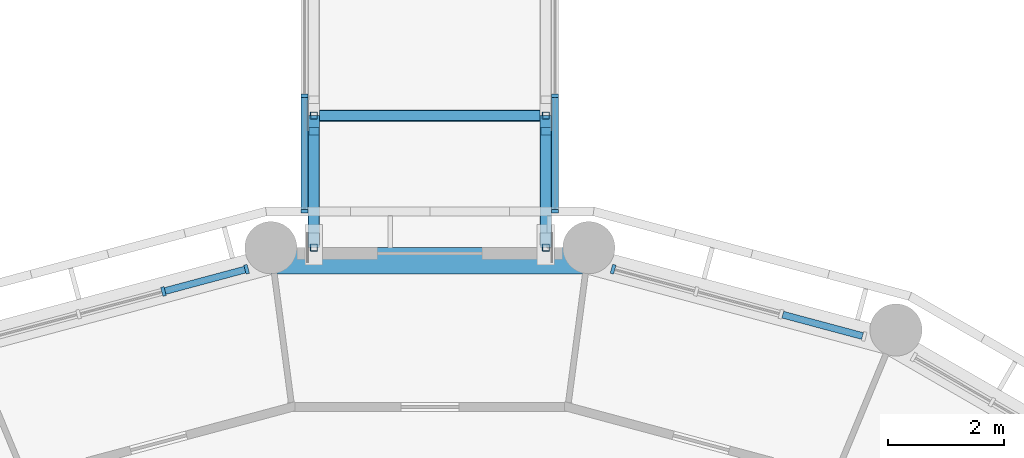
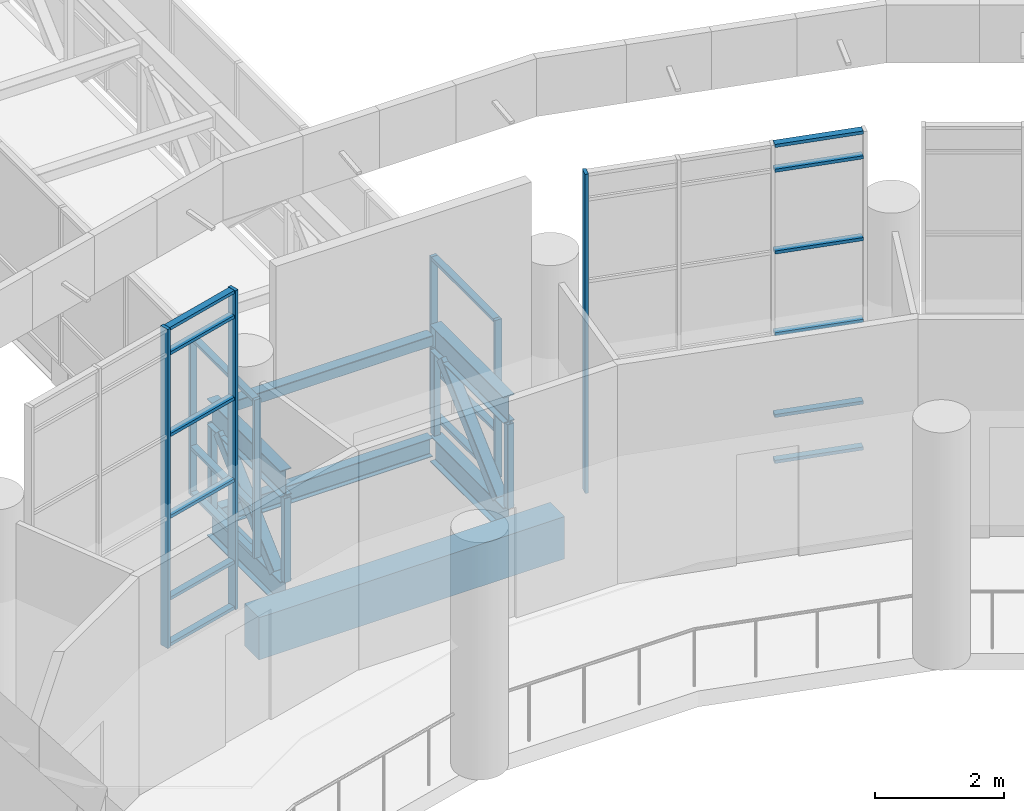
# One storey, part 23 of 136: 37 members, 1 beam, 4 elements without a shape of their own.
"""IFC4 building model written with IfcOpenShell, lengths in metres."""

from ifc_helpers import new_model, si_unit, direction, frame, origin, origin_2d, place, context, subcontext, project, spatial, rectangle, hollow_rectangle, i_section, extrude, material, material_profile, profile_set, type_object, element, aggregate, save


model = new_model("IFC4")

# Units and contexts
model_context = context("Model", 3, precision=1e-05, world=origin(), true_north=direction((0.0, 1.0)))
body_context = subcontext(model_context, "Body", "Model", "MODEL_VIEW")
ifc_project = project(units=[si_unit("LENGTHUNIT", "METRE"), si_unit("AREAUNIT", "SQUARE_METRE"), si_unit("VOLUMEUNIT", "CUBIC_METRE"), si_unit("PLANEANGLEUNIT", "RADIAN"), si_unit("MASSUNIT", "GRAM", prefix="KILO")], contexts=[model_context])

# Site, building, storey
site_placement = place(None, origin())
site = spatial("IfcSite", under=ifc_project, at=site_placement, CompositionType="ELEMENT")
building_placement = place(site_placement, origin())
building = spatial("IfcBuilding", under=site, at=building_placement, Name="Bougainvillea Quay General Hospital", CompositionType="ELEMENT")
storey_placement = place(building_placement, frame((0.0, 0.0, 5.39990234375)))
storey = spatial("IfcBuildingStorey", under=building, at=storey_placement, Name="L01", CompositionType="ELEMENT", Elevation=5.39990234375)

# Curtain wall, members
ifc_material_1 = material(Name="Aluminium curtain wall system, powder-coated glazed", Category="aluminium")
curtain_wall_type_1 = type_object("IfcCurtainWallType", Name="Unitised curtain wall CW-2100", PredefinedType="NOTDEFINED", material=ifc_material_1)
curtain_wall_1_placement = place(storey_placement, origin())
curtain_wall_1 = element("IfcCurtainWall", 1, at=curtain_wall_1_placement, inside=storey, type_object=curtain_wall_type_1, Name="BG-L L", PredefinedType="NOTDEFINED")
ifc_material_2 = material(Name="Aluminium mullion, powder-coated charcoal", Category="aluminium")
ifc_material_profile_1 = material_profile(ifc_material_2, rectangle(XDim=0.1201171875, YDim=0.06005859375, at=origin_2d()))
ifc_profile_set_1 = profile_set([ifc_material_profile_1], Name="Aluminium mullion, powder-coated charcoal")
member_type_1 = type_object("IfcMemberType", Name="Curtain wall mullion 120x60", PredefinedType="MULLION", material=ifc_profile_set_1)
member_1_placement = place(storey_placement, frame((107.0400390625, 95.449951171875, 0.0), z_axis=(0.0, 0.0, 1.0), x_axis=(-1.0, 0.0, 0.0)))
member_1 = element("IfcMember", 2, at=member_1_placement, type_object=member_type_1, Name="BG-L mullion 1", PredefinedType="MULLION", context=body_context, shape_type="SweptSolid", body=[
    extrude(rectangle(XDim=0.1201171875, YDim=0.06005859375, at=origin_2d()), origin(), (0.0, 0.0, 1.0), 3.0),
])
member_2_placement = place(storey_placement, frame((107.0400390625, 97.436279296875, 0.0), z_axis=(0.0, 0.0, 1.0), x_axis=(-1.0, 0.0, 0.0)))
member_2 = element("IfcMember", 3, at=member_2_placement, type_object=member_type_1, Name="BG-L mullion 2", PredefinedType="MULLION", context=body_context, shape_type="SweptSolid", body=[
    extrude(rectangle(XDim=0.1201171875, YDim=0.06005859375, at=origin_2d()), origin(), (0.0, 0.0, 1.0), 3.0),
])

curtain_wall_2_placement = place(storey_placement, origin())
curtain_wall_2 = element("IfcCurtainWall", 4, at=curtain_wall_2_placement, inside=storey, type_object=curtain_wall_type_1, Name="BG-R R", PredefinedType="NOTDEFINED")
member_3_placement = place(storey_placement, frame((111.360107421875, 97.436279296875, 0.0), z_axis=(0.0, 0.0, 1.0), x_axis=(1.0, 0.0, 0.0)))
member_3 = element("IfcMember", 5, at=member_3_placement, type_object=member_type_1, Name="BG-R mullion 11", PredefinedType="MULLION", context=body_context, shape_type="SweptSolid", body=[
    extrude(rectangle(XDim=0.1201171875, YDim=0.06005859375, at=origin_2d()), origin(), (0.0, 0.0, 1.0), 3.0),
])
member_4_placement = place(storey_placement, frame((111.360107421875, 95.449951171875, 0.0), z_axis=(0.0, 0.0, 1.0), x_axis=(1.0, 0.0, 0.0)))
member_4 = element("IfcMember", 6, at=member_4_placement, type_object=member_type_1, Name="BG-R mullion 12", PredefinedType="MULLION", context=body_context, shape_type="SweptSolid", body=[
    extrude(rectangle(XDim=0.1201171875, YDim=0.06005859375, at=origin_2d()), origin(), (0.0, 0.0, 1.0), 3.0),
])

# Curtain wall, member
curtain_wall_type_2 = type_object("IfcCurtainWallType", Name="Unitised curtain wall CW-1514", PredefinedType="NOTDEFINED", material=ifc_material_1)
curtain_wall_3_placement = place(storey_placement, origin())
curtain_wall_3 = element("IfcCurtainWall", 7, at=curtain_wall_3_placement, inside=storey, type_object=curtain_wall_type_2, Name="CW-D 00", PredefinedType="NOTDEFINED")
ifc_material_profile_2 = material_profile(ifc_material_2, rectangle(XDim=0.159912109375, YDim=0.06005859375, at=origin_2d()))
ifc_profile_set_2 = profile_set([ifc_material_profile_2], Name="Aluminium mullion, powder-coated charcoal")
member_type_2 = type_object("IfcMemberType", Name="Curtain wall mullion 160x60", PredefinedType="MULLION", material=ifc_profile_set_2)
member_5_placement = place(storey_placement, frame((112.359130859375, 94.448974609375, 0.0), z_axis=(0.0, 0.0, 1.0), x_axis=(-0.258854621298, -0.965916292974, 0.0)))
member_5 = element("IfcMember", 8, at=member_5_placement, type_object=member_type_2, Name="CW-D mullion 4", PredefinedType="MULLION", context=body_context, shape_type="SweptSolid", body=[
    extrude(rectangle(XDim=0.159912109375, YDim=0.06005859375, at=origin_2d()), origin(), (0.0, 0.0, 1.0), 6.050048828125),
])

# Curtain wall, members
curtain_wall_4_placement = place(storey_placement, origin())
curtain_wall_4 = element("IfcCurtainWall", 9, at=curtain_wall_4_placement, inside=storey, type_object=curtain_wall_type_2, Name="CW-D 00", PredefinedType="NOTDEFINED")
member_6_placement = place(storey_placement, frame((106.040771484375, 94.448974609375, 0.0), z_axis=(0.0, 0.0, 1.0), x_axis=(0.258854621298, -0.965916292974, 0.0)))
member_6 = element("IfcMember", 10, at=member_6_placement, type_object=member_type_2, Name="CW-D mullion 1", PredefinedType="MULLION", context=body_context, shape_type="SweptSolid", body=[
    extrude(rectangle(XDim=0.159912109375, YDim=0.06005859375, at=origin_2d()), origin(), (0.0, 0.0, 1.0), 6.050048828125),
])
member_7_placement = place(storey_placement, frame((104.607421875, 94.06494140625, 0.0), z_axis=(0.0, 0.0, 1.0), x_axis=(0.258854621298, -0.965916292974, 0.0)))
member_7 = element("IfcMember", 11, at=member_7_placement, type_object=member_type_2, Name="CW-D mullion 2", PredefinedType="MULLION", context=body_context, shape_type="SweptSolid", body=[
    extrude(rectangle(XDim=0.159912109375, YDim=0.06005859375, at=origin_2d()), origin(), (0.0, 0.0, 1.0), 6.050048828125),
])

# Member
ifc_material_3 = material(Name="Aluminium transom, powder-coated charcoal", Category="aluminium")
ifc_material_profile_3 = material_profile(ifc_material_3, rectangle(XDim=0.1201171875, YDim=0.06005859375, at=origin_2d()))
ifc_profile_set_3 = profile_set([ifc_material_profile_3], Name="Aluminium transom, powder-coated charcoal")
member_type_3 = type_object("IfcMemberType", Name="Curtain wall transom 120x60", PredefinedType="USERDEFINED", material=ifc_profile_set_3)
member_8_placement = place(storey_placement, frame((116.659423828125, 93.296630859375, 0.030029296875), z_axis=(-0.965909783806, 0.258878909043, 0.0), x_axis=(-0.258878909043, -0.965909783806, 0.0)))
member_8 = element("IfcMember", 12, at=member_8_placement, type_object=member_type_3, Name="CW-D transom 1.1", ObjectType="TRANSOM", PredefinedType="USERDEFINED", context=body_context, shape_type="SweptSolid", body=[
    extrude(rectangle(XDim=0.1201171875, YDim=0.06005859375, at=origin_2d()), origin(), (0.0, 0.0, 1.0), 1.424072265625),
])

member_9_placement = place(storey_placement, frame((116.659423828125, 93.296630859375, 0.900146484375), z_axis=(-0.965909783806, 0.258878909043, 0.0), x_axis=(-0.258878909043, -0.965909783806, 0.0)))
member_9 = element("IfcMember", 13, at=member_9_placement, type_object=member_type_3, Name="CW-D transom 1.2", ObjectType="TRANSOM", PredefinedType="USERDEFINED", context=body_context, shape_type="SweptSolid", body=[
    extrude(rectangle(XDim=0.1201171875, YDim=0.06005859375, at=origin_2d()), origin(), (0.0, 0.0, 1.0), 1.424072265625),
])

member_10_placement = place(storey_placement, frame((116.659423828125, 93.296630859375, 2.4501953125), z_axis=(-0.965909783806, 0.258878909043, 0.0), x_axis=(-0.258878909043, -0.965909783806, 0.0)))
member_10 = element("IfcMember", 14, at=member_10_placement, type_object=member_type_3, Name="CW-D transom 1.3", ObjectType="TRANSOM", PredefinedType="USERDEFINED", context=body_context, shape_type="SweptSolid", body=[
    extrude(rectangle(XDim=0.1201171875, YDim=0.06005859375, at=origin_2d()), origin(), (0.0, 0.0, 1.0), 1.424072265625),
])

member_11_placement = place(storey_placement, frame((116.659423828125, 93.296630859375, 4.0), z_axis=(-0.965909783806, 0.258878909043, 0.0), x_axis=(-0.258878909043, -0.965909783806, 0.0)))
member_11 = element("IfcMember", 15, at=member_11_placement, type_object=member_type_3, Name="CW-D transom 1.4", ObjectType="TRANSOM", PredefinedType="USERDEFINED", context=body_context, shape_type="SweptSolid", body=[
    extrude(rectangle(XDim=0.1201171875, YDim=0.06005859375, at=origin_2d()), origin(), (0.0, 0.0, 1.0), 1.424072265625),
])

member_12_placement = place(storey_placement, frame((116.659423828125, 93.296630859375, 5.550048828125), z_axis=(-0.965909783806, 0.258878909043, 0.0), x_axis=(-0.258878909043, -0.965909783806, 0.0)))
member_12 = element("IfcMember", 16, at=member_12_placement, type_object=member_type_3, Name="CW-D transom 1.5", ObjectType="TRANSOM", PredefinedType="USERDEFINED", context=body_context, shape_type="SweptSolid", body=[
    extrude(rectangle(XDim=0.1201171875, YDim=0.06005859375, at=origin_2d()), origin(), (0.0, 0.0, 1.0), 1.424072265625),
])

member_13_placement = place(storey_placement, frame((116.659423828125, 93.296630859375, 6.02001953125), z_axis=(-0.965909783806, 0.258878909043, 0.0), x_axis=(-0.258878909043, -0.965909783806, 0.0)))
member_13 = element("IfcMember", 17, at=member_13_placement, type_object=member_type_3, Name="CW-D transom 1.6", ObjectType="TRANSOM", PredefinedType="USERDEFINED", context=body_context, shape_type="SweptSolid", body=[
    extrude(rectangle(XDim=0.1201171875, YDim=0.06005859375, at=origin_2d()), origin(), (0.0, 0.0, 1.0), 1.424072265625),
])

aggregate(curtain_wall_3, [member_5, member_8, member_9, member_10, member_11, member_12, member_13])

member_14_placement = place(storey_placement, frame((106.01171875, 94.44140625, 0.030029296875), z_axis=(-0.965898291136, -0.258921785836, 0.0), x_axis=(0.258921785836, -0.965898291136, 0.0)))
member_14 = element("IfcMember", 18, at=member_14_placement, type_object=member_type_3, Name="CW-D transom 1.1", ObjectType="TRANSOM", PredefinedType="USERDEFINED", context=body_context, shape_type="SweptSolid", body=[
    extrude(rectangle(XDim=0.1201171875, YDim=0.06005859375, at=origin_2d()), origin(), (0.0, 0.0, 1.0), 1.423828125),
])

member_15_placement = place(storey_placement, frame((106.01171875, 94.44140625, 0.900146484375), z_axis=(-0.965898291136, -0.258921785836, 0.0), x_axis=(0.258921785836, -0.965898291136, 0.0)))
member_15 = element("IfcMember", 19, at=member_15_placement, type_object=member_type_3, Name="CW-D transom 1.2", ObjectType="TRANSOM", PredefinedType="USERDEFINED", context=body_context, shape_type="SweptSolid", body=[
    extrude(rectangle(XDim=0.1201171875, YDim=0.06005859375, at=origin_2d()), origin(), (0.0, 0.0, 1.0), 1.423828125),
])

member_16_placement = place(storey_placement, frame((106.01171875, 94.44140625, 2.4501953125), z_axis=(-0.965898291136, -0.258921785836, 0.0), x_axis=(0.258921785836, -0.965898291136, 0.0)))
member_16 = element("IfcMember", 20, at=member_16_placement, type_object=member_type_3, Name="CW-D transom 1.3", ObjectType="TRANSOM", PredefinedType="USERDEFINED", context=body_context, shape_type="SweptSolid", body=[
    extrude(rectangle(XDim=0.1201171875, YDim=0.06005859375, at=origin_2d()), origin(), (0.0, 0.0, 1.0), 1.423828125),
])

member_17_placement = place(storey_placement, frame((106.01171875, 94.44140625, 4.0), z_axis=(-0.965898291136, -0.258921785836, 0.0), x_axis=(0.258921785836, -0.965898291136, 0.0)))
member_17 = element("IfcMember", 21, at=member_17_placement, type_object=member_type_3, Name="CW-D transom 1.4", ObjectType="TRANSOM", PredefinedType="USERDEFINED", context=body_context, shape_type="SweptSolid", body=[
    extrude(rectangle(XDim=0.1201171875, YDim=0.06005859375, at=origin_2d()), origin(), (0.0, 0.0, 1.0), 1.423828125),
])

member_18_placement = place(storey_placement, frame((106.01171875, 94.44140625, 5.550048828125), z_axis=(-0.965898291136, -0.258921785836, 0.0), x_axis=(0.258921785836, -0.965898291136, 0.0)))
member_18 = element("IfcMember", 22, at=member_18_placement, type_object=member_type_3, Name="CW-D transom 1.5", ObjectType="TRANSOM", PredefinedType="USERDEFINED", context=body_context, shape_type="SweptSolid", body=[
    extrude(rectangle(XDim=0.1201171875, YDim=0.06005859375, at=origin_2d()), origin(), (0.0, 0.0, 1.0), 1.423828125),
])

member_19_placement = place(storey_placement, frame((106.01171875, 94.44140625, 6.02001953125), z_axis=(-0.965898291136, -0.258921785836, 0.0), x_axis=(0.258921785836, -0.965898291136, 0.0)))
member_19 = element("IfcMember", 23, at=member_19_placement, type_object=member_type_3, Name="CW-D transom 1.6", ObjectType="TRANSOM", PredefinedType="USERDEFINED", context=body_context, shape_type="SweptSolid", body=[
    extrude(rectangle(XDim=0.1201171875, YDim=0.06005859375, at=origin_2d()), origin(), (0.0, 0.0, 1.0), 1.423828125),
])

aggregate(curtain_wall_4, [member_6, member_7, member_14, member_15, member_16, member_17, member_18, member_19])

member_20_placement = place(storey_placement, frame((107.0400390625, 95.47998046875, 0.030029296875), z_axis=(0.0, 1.0, 0.0), x_axis=(-1.0, 0.0, 0.0)))
member_20 = element("IfcMember", 24, at=member_20_placement, type_object=member_type_3, Name="BG-L transom 1.1", ObjectType="TRANSOM", PredefinedType="USERDEFINED", context=body_context, shape_type="SweptSolid", body=[
    extrude(rectangle(XDim=0.1201171875, YDim=0.06005859375, at=origin_2d()), origin(), (0.0, 0.0, 1.0), 1.92626953125),
])

member_21_placement = place(storey_placement, frame((107.0400390625, 95.47998046875, 0.900146484375), z_axis=(0.0, 1.0, 0.0), x_axis=(-1.0, 0.0, 0.0)))
member_21 = element("IfcMember", 25, at=member_21_placement, type_object=member_type_3, Name="BG-L transom 1.2", ObjectType="TRANSOM", PredefinedType="USERDEFINED", context=body_context, shape_type="SweptSolid", body=[
    extrude(rectangle(XDim=0.1201171875, YDim=0.06005859375, at=origin_2d()), origin(), (0.0, 0.0, 1.0), 1.92626953125),
])

member_22_placement = place(storey_placement, frame((107.0400390625, 95.47998046875, 2.97021484375), z_axis=(0.0, 1.0, 0.0), x_axis=(-1.0, 0.0, 0.0)))
member_22 = element("IfcMember", 26, at=member_22_placement, type_object=member_type_3, Name="BG-L transom 1.3", ObjectType="TRANSOM", PredefinedType="USERDEFINED", context=body_context, shape_type="SweptSolid", body=[
    extrude(rectangle(XDim=0.1201171875, YDim=0.06005859375, at=origin_2d()), origin(), (0.0, 0.0, 1.0), 1.92626953125),
])

aggregate(curtain_wall_1, [member_1, member_2, member_20, member_21, member_22])

member_23_placement = place(storey_placement, frame((111.360107421875, 97.40625, 0.030029296875), z_axis=(0.0, -1.0, 0.0), x_axis=(1.0, 0.0, 0.0)))
member_23 = element("IfcMember", 27, at=member_23_placement, type_object=member_type_3, Name="BG-R transom 11.1", ObjectType="TRANSOM", PredefinedType="USERDEFINED", context=body_context, shape_type="SweptSolid", body=[
    extrude(rectangle(XDim=0.1201171875, YDim=0.06005859375, at=origin_2d()), origin(), (0.0, 0.0, 1.0), 1.92626953125),
])

member_24_placement = place(storey_placement, frame((111.360107421875, 97.40625, 0.900146484375), z_axis=(0.0, -1.0, 0.0), x_axis=(1.0, 0.0, 0.0)))
member_24 = element("IfcMember", 28, at=member_24_placement, type_object=member_type_3, Name="BG-R transom 11.2", ObjectType="TRANSOM", PredefinedType="USERDEFINED", context=body_context, shape_type="SweptSolid", body=[
    extrude(rectangle(XDim=0.1201171875, YDim=0.06005859375, at=origin_2d()), origin(), (0.0, 0.0, 1.0), 1.92626953125),
])

member_25_placement = place(storey_placement, frame((111.360107421875, 97.40625, 2.97021484375), z_axis=(0.0, -1.0, 0.0), x_axis=(1.0, 0.0, 0.0)))
member_25 = element("IfcMember", 29, at=member_25_placement, type_object=member_type_3, Name="BG-R transom 11.3", ObjectType="TRANSOM", PredefinedType="USERDEFINED", context=body_context, shape_type="SweptSolid", body=[
    extrude(rectangle(XDim=0.1201171875, YDim=0.06005859375, at=origin_2d()), origin(), (0.0, 0.0, 1.0), 1.92626953125),
])

aggregate(curtain_wall_2, [member_3, member_4, member_23, member_24, member_25])

# Members
ifc_material_4 = material(Name="Steel Q355", Category="steel")
ifc_material_profile_4 = material_profile(ifc_material_4, i_section(OverallWidth=0.175048828125, OverallDepth=0.35009765625, WebThickness=0.007080078125, FlangeThickness=0.010986328125, FilletRadius=0.012939453125, at=origin_2d()))
ifc_profile_set_4 = profile_set([ifc_material_profile_4], Name="Steel Q355")
member_type_4 = type_object("IfcMemberType", Name="HN 350x175x7x11 Q355 STRUT", PredefinedType="STRUT", material=ifc_profile_set_4)
member_26_placement = place(storey_placement, frame((107.300048828125, 97.097900390625, -0.294921875), z_axis=(1.0, 0.0, 0.0), x_axis=(0.0, 1.0, 0.0)))
element("IfcMember", 30, at=member_26_placement, inside=storey, type_object=member_type_4, Name="Bridge floor beam", PredefinedType="STRUT", context=body_context, shape_type="SweptSolid", body=[
    extrude(i_section(OverallWidth=0.175048828125, OverallDepth=0.35009765625, WebThickness=0.007080078125, FlangeThickness=0.010986328125, FilletRadius=0.012939453125, at=origin_2d()), origin(), (0.0, 0.0, 1.0), 3.800048828125),
])
ifc_material_profile_5 = material_profile(ifc_material_4, i_section(OverallWidth=0.199951171875, OverallDepth=0.5, WebThickness=0.010009765625, FlangeThickness=0.01611328125, FilletRadius=0.012939453125, at=origin_2d()))
ifc_profile_set_5 = profile_set([ifc_material_profile_5], Name="Steel Q355")
member_type_5 = type_object("IfcMemberType", Name="HN 500x200x10x16 Q355 CHORD", PredefinedType="CHORD", material=ifc_profile_set_5)
for number, where, z_axis, x_axis, name in (
    (31, (107.199951171875, 94.820068359375, -0.369873046875), (0.0, 1.0, 0.0), (-1.0, 0.0, 0.0), "Bottom chord"),
    (32, (107.199951171875, 94.820068359375, 1.72998046875), (0.0, 1.0, 0.0), (-1.0, 0.0, 0.0), "Top chord"),
    (33, (111.199951171875, 94.820068359375, -0.369873046875), (0.0, 1.0, 0.0), (-1.0, 0.0, 0.0), "Bottom chord"),
    (34, (111.199951171875, 94.820068359375, 1.72998046875), (0.0, 1.0, 0.0), (-1.0, 0.0, 0.0), "Top chord"),
):
    element("IfcMember", number, at=place(storey_placement, frame(where, z_axis=z_axis, x_axis=x_axis)), inside=storey, type_object=member_type_5, Name=name, PredefinedType="CHORD", context=body_context, shape_type="SweptSolid", body=[
        extrude(i_section(OverallWidth=0.199951171875, OverallDepth=0.5, WebThickness=0.010009765625, FlangeThickness=0.01611328125, FilletRadius=0.012939453125, at=origin_2d()), origin(), (0.0, 0.0, 1.0), 2.27783203125),
    ])

# Beam
ifc_material_5 = material(Name="Concrete C40", Category="concrete")
ifc_material_profile_6 = material_profile(ifc_material_5, rectangle(XDim=0.449951171875, YDim=0.800048828125, at=origin_2d()))
ifc_profile_set_6 = profile_set([ifc_material_profile_6], Name="Concrete C40")
beam_type = type_object("IfcBeamType", Name="RC BEAM 450x800 C40", PredefinedType="BEAM", material=ifc_profile_set_6)
beam_placement = place(storey_placement, frame((111.94091796875, 94.594970703125, -0.699951171875), z_axis=(-1.0, 0.0, 0.0), x_axis=(0.0, -1.0, 0.0)))
element("IfcBeam", 35, at=beam_placement, inside=storey, type_object=beam_type, Name="Edge beam L01", PredefinedType="BEAM", context=body_context, shape_type="SweptSolid", body=[
    extrude(rectangle(XDim=0.449951171875, YDim=0.800048828125, at=origin_2d()), origin(), (0.0, 0.0, 1.0), 5.48193359375),
])

# Members
ifc_material_profile_7 = material_profile(ifc_material_4, hollow_rectangle(XDim=0.1201171875, YDim=0.1201171875, WallThickness=0.0048828125, InnerFilletRadius=0.0048828125, OuterFilletRadius=0.010009765625, at=origin_2d()))
ifc_profile_set_7 = profile_set([ifc_material_profile_7], Name="Steel Q355")
member_type_6 = type_object("IfcMemberType", Name="SHS 120x120x5 Q355 POST", PredefinedType="POST", material=ifc_profile_set_7)
for number, where, z_axis, x_axis, name in (
    (36, (107.199951171875, 94.820068359375, -0.119873046875), (0.0, 0.0, 1.0), (1.0, 0.0, 0.0), "Truss post"),
    (37, (107.199951171875, 97.097900390625, -0.119873046875), (0.0, 0.0, 1.0), (1.0, 0.0, 0.0), "Truss post"),
    (38, (111.199951171875, 94.820068359375, -0.119873046875), (0.0, 0.0, 1.0), (1.0, 0.0, 0.0), "Truss post"),
    (39, (111.199951171875, 97.097900390625, -0.119873046875), (0.0, 0.0, 1.0), (1.0, 0.0, 0.0), "Truss post"),
):
    element("IfcMember", number, at=place(storey_placement, frame(where, z_axis=z_axis, x_axis=x_axis)), inside=storey, type_object=member_type_6, Name=name, PredefinedType="POST", context=body_context, shape_type="SweptSolid", body=[
        extrude(hollow_rectangle(XDim=0.1201171875, YDim=0.1201171875, WallThickness=0.0048828125, InnerFilletRadius=0.0048828125, OuterFilletRadius=0.010009765625, at=origin_2d()), origin(), (0.0, 0.0, 1.0), 1.599853515625),
    ])
ifc_material_profile_8 = material_profile(ifc_material_4, hollow_rectangle(XDim=0.199951171875, YDim=0.199951171875, WallThickness=0.008056640625, InnerFilletRadius=0.008056640625, OuterFilletRadius=0.01611328125, at=origin_2d()))
ifc_profile_set_8 = profile_set([ifc_material_profile_8], Name="Steel Q355")
member_type_7 = type_object("IfcMemberType", Name="SHS 200x200x8 Q355 BRACE", PredefinedType="BRACE", material=ifc_profile_set_8)
for number, where, z_axis, x_axis, name in (
    (40, (107.199951171875, 95.09130859375, -0.119873046875), (0.0, 0.73527513993, 0.677768742715), (-1.0, 0.0, 0.0), "Truss diagonal"),
    (41, (111.199951171875, 95.09130859375, -0.119873046875), (0.0, 0.73527513993, 0.677768742715), (-1.0, 0.0, 0.0), "Truss diagonal"),
):
    element("IfcMember", number, at=place(storey_placement, frame(where, z_axis=z_axis, x_axis=x_axis)), inside=storey, type_object=member_type_7, Name=name, PredefinedType="BRACE", context=body_context, shape_type="SweptSolid", body=[
        extrude(hollow_rectangle(XDim=0.199951171875, YDim=0.199951171875, WallThickness=0.008056640625, InnerFilletRadius=0.008056640625, OuterFilletRadius=0.01611328125, at=origin_2d()), origin(), (0.0, 0.0, 1.0), 2.3603515625),
    ])
ifc_material_profile_9 = material_profile(ifc_material_4, hollow_rectangle(XDim=0.199951171875, YDim=0.199951171875, WallThickness=0.008056640625, InnerFilletRadius=0.008056640625, OuterFilletRadius=0.01611328125, at=origin_2d()))
ifc_profile_set_9 = profile_set([ifc_material_profile_9], Name="Steel Q355")
member_type_8 = type_object("IfcMemberType", Name="SHS 200x200x8 Q355 STRUT", PredefinedType="STRUT", material=ifc_profile_set_9)
member_27_placement = place(storey_placement, frame((107.300048828125, 97.097900390625, 1.72998046875), z_axis=(1.0, 0.0, 0.0), x_axis=(0.0, 1.0, 0.0)))
element("IfcMember", 42, at=member_27_placement, inside=storey, type_object=member_type_8, Name="Top strut", PredefinedType="STRUT", context=body_context, shape_type="SweptSolid", body=[
    extrude(hollow_rectangle(XDim=0.199951171875, YDim=0.199951171875, WallThickness=0.008056640625, InnerFilletRadius=0.008056640625, OuterFilletRadius=0.01611328125, at=origin_2d()), origin(), (0.0, 0.0, 1.0), 3.800048828125),
])

save(model, "model.ifc")
